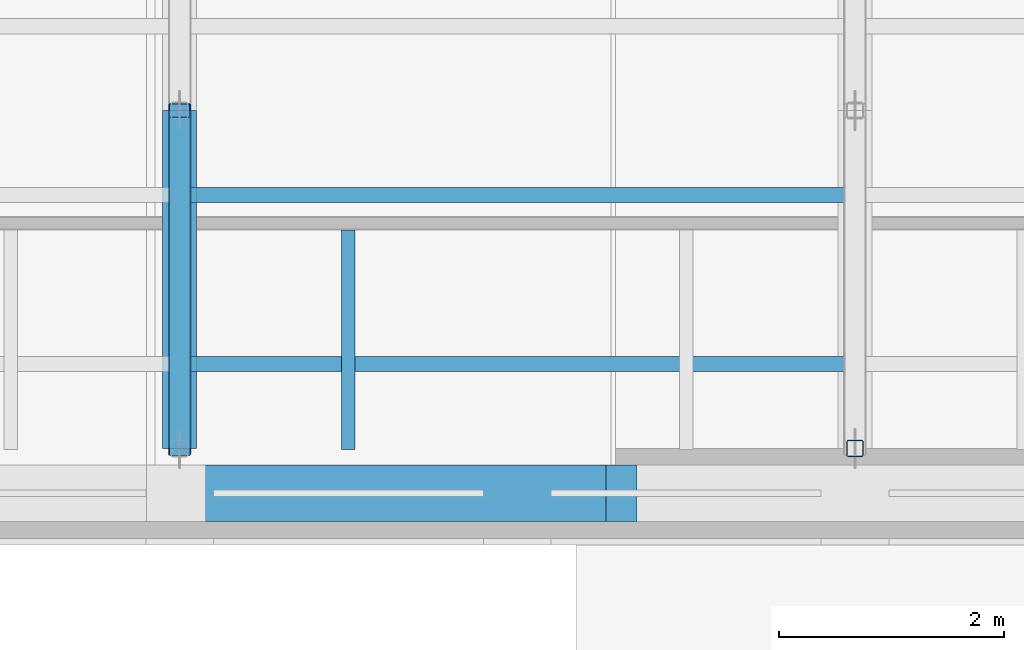
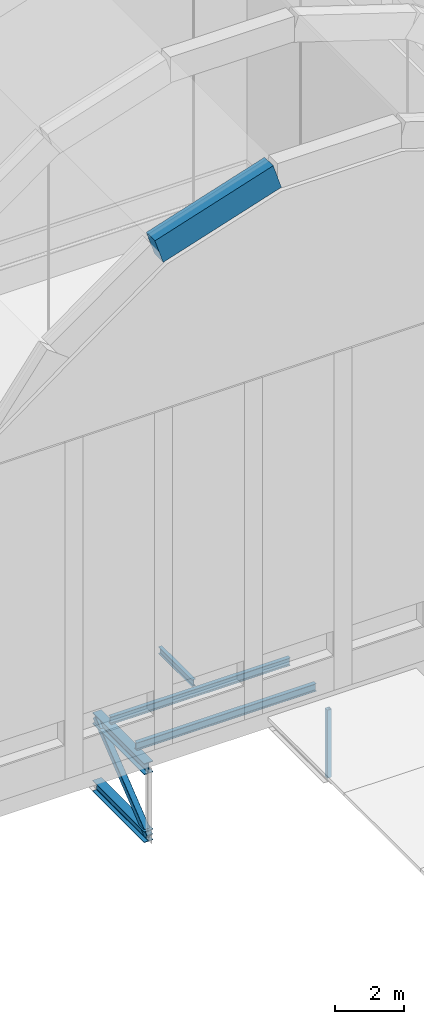
# One storey, part 2 of 55: 5 members, 3 beams.
"""IFC4 building model written with IfcOpenShell, lengths in metres."""

from ifc_helpers import new_model, si_unit, direction, frame, origin, origin_2d, place, context, subcontext, project, spatial, rectangle, hollow_rectangle, i_section, extrude, material, material_profile, profile_set, type_object, element, save


model = new_model("IFC4")

# Units and contexts
model_context = context("Model", 3, precision=1e-05, world=origin(), true_north=direction((0.0, 1.0)))
body_context = subcontext(model_context, "Body", "Model", "MODEL_VIEW")
ifc_project = project(units=[si_unit("LENGTHUNIT", "METRE"), si_unit("AREAUNIT", "SQUARE_METRE"), si_unit("VOLUMEUNIT", "CUBIC_METRE"), si_unit("PLANEANGLEUNIT", "RADIAN"), si_unit("MASSUNIT", "GRAM", prefix="KILO")], contexts=[model_context])

# Site, building, storey
site_placement = place(None, origin())
site = spatial("IfcSite", under=ifc_project, at=site_placement, CompositionType="ELEMENT")
building_placement = place(site_placement, origin())
building = spatial("IfcBuilding", under=site, at=building_placement, Name="Lunette Opera House", CompositionType="ELEMENT")
storey_placement = place(building_placement, frame((0.0, 0.0, 34.0)))
storey = spatial("IfcBuildingStorey", under=building, at=storey_placement, Name="L06", CompositionType="ELEMENT", Elevation=34.0)

# Beam
ifc_material_1 = material(Name="Concrete C40/50", Category="concrete")
ifc_material_profile_1 = material_profile(ifc_material_1, rectangle(XDim=0.5, YDim=0.89990234375, at=origin_2d()), Name="ARCH BEAM 500X900")
ifc_profile_set_1 = profile_set([ifc_material_profile_1], Name="Concrete C40/50")
beam_type_1 = type_object("IfcBeamType", Name="ARCH BEAM 500X900", PredefinedType="BEAM", material=ifc_profile_set_1)
beam_placement = place(storey_placement, frame((89.968994140625, 95.60009765625, 17.98193359375), z_axis=(0.952116578893, 0.0, 0.305735212556), x_axis=(0.0, 1.0, 0.0)))
element("IfcBeam", 1, at=beam_placement, inside=storey, type_object=beam_type_1, Name="beam-ST-L06-EAT1-3", PredefinedType="BEAM", context=body_context, shape_type="SweptSolid", body=[
    extrude(rectangle(XDim=0.5, YDim=0.89990234375, at=origin_2d()), origin(), (0.0, 0.0, 1.0), 4.154052734375),
])

# Members
ifc_material_2 = material(Name="Steel S355", Category="steel")
ifc_material_profile_2 = material_profile(ifc_material_2, i_section(OverallWidth=0.1201171875, OverallDepth=0.239990234375, WebThickness=0.006103515625, FlangeThickness=0.009765625, FilletRadius=0.014892578125, at=origin_2d()), Name="IPE 240")
ifc_profile_set_2 = profile_set([ifc_material_profile_2], Name="Steel S355")
member_type_1 = type_object("IfcMemberType", Name="BRACKET IPE 240", PredefinedType="MEMBER", material=ifc_profile_set_2)
member_1_placement = place(storey_placement, frame((91.5, 95.989990234375, 1.820068359375), z_axis=(0.0, 1.0, 0.0), x_axis=(-1.0, 0.0, 0.0)))
element("IfcMember", 2, at=member_1_placement, inside=storey, type_object=member_type_1, Name="mem-ST-L06-LOFT-BKS915-959", PredefinedType="MEMBER", context=body_context, shape_type="SweptSolid", body=[
    extrude(i_section(OverallWidth=0.1201171875, OverallDepth=0.239990234375, WebThickness=0.006103515625, FlangeThickness=0.009765625, FilletRadius=0.014892578125, at=origin_2d()), origin(), (0.0, 0.0, 1.0), 1.949951171875),
])
ifc_material_3 = material(Name="Steel S355", Category="steel")
ifc_material_profile_3 = material_profile(ifc_material_3, i_section(OverallWidth=0.300048828125, OverallDepth=0.389892578125, WebThickness=0.010986328125, FlangeThickness=0.01904296875, FilletRadius=0.027099609375, at=origin_2d()), Name="HEA 400")
ifc_profile_set_3 = profile_set([ifc_material_profile_3], Name="Steel S355")
member_type_2 = type_object("IfcMemberType", Name="CHORD HEA 400", PredefinedType="CHORD", material=ifc_profile_set_3)
for number, where, z_axis, x_axis, name in (
    (3, (90.0, 96.0, -0.6650390625), (0.0, 1.0, 0.0), (-1.0, 0.0, 0.0), "mem-ST-L06-ST-TR01-TC1"),
    (4, (90.0, 96.0, -3.06494140625), (0.0, 1.0, 0.0), (-1.0, 0.0, 0.0), "mem-ST-L06-ST-TR01-BC1"),
):
    element("IfcMember", number, at=place(storey_placement, frame(where, z_axis=z_axis, x_axis=x_axis)), inside=storey, type_object=member_type_2, Name=name, PredefinedType="CHORD", context=body_context, shape_type="SweptSolid", body=[
        extrude(i_section(OverallWidth=0.300048828125, OverallDepth=0.389892578125, WebThickness=0.010986328125, FlangeThickness=0.01904296875, FilletRadius=0.027099609375, at=origin_2d()), origin(), (0.0, 0.0, 1.0), 3.0),
    ])
ifc_material_4 = material(Name="Steel S355", Category="steel")
ifc_material_profile_4 = material_profile(ifc_material_4, hollow_rectangle(XDim=0.199951171875, YDim=0.199951171875, WallThickness=0.008056640625, InnerFilletRadius=0.008056640625, OuterFilletRadius=0.01611328125, at=origin_2d()), Name="RHS 200X200X8")
ifc_profile_set_4 = profile_set([ifc_material_profile_4], Name="Steel S355")
member_type_3 = type_object("IfcMemberType", Name="DIAGONAL RHS 200X200X8", PredefinedType="BRACE", material=ifc_profile_set_4)
member_2_placement = place(storey_placement, frame((90.0, 96.0, -3.06494140625), z_axis=(0.0, 0.780881208953, 0.624679547852), x_axis=(-1.0, 0.0, 0.0)))
element("IfcMember", 5, at=member_2_placement, inside=storey, type_object=member_type_3, Name="mem-ST-L06-ST-TR01-TD1", PredefinedType="BRACE", context=body_context, shape_type="SweptSolid", body=[
    extrude(hollow_rectangle(XDim=0.199951171875, YDim=0.199951171875, WallThickness=0.008056640625, InnerFilletRadius=0.008056640625, OuterFilletRadius=0.01611328125, at=origin_2d()), origin(), (0.0, 0.0, 1.0), 3.841796875),
])

# Beams
ifc_material_5 = material(Name="Steel S355", Category="steel")
ifc_material_profile_5 = material_profile(ifc_material_5, i_section(OverallWidth=0.135009765625, OverallDepth=0.27001953125, WebThickness=0.006591796875, FlangeThickness=0.01025390625, FilletRadius=0.014892578125, at=origin_2d()), Name="IPE 270")
ifc_profile_set_5 = profile_set([ifc_material_profile_5], Name="Steel S355")
beam_type_2 = type_object("IfcBeamType", Name="STEEL BEAM IPE 270", PredefinedType="BEAM", material=ifc_profile_set_5)
for number, where, z_axis, x_axis, name in (
    (6, (90.0, 96.75, -0.3349609375), (1.0, 0.0, 0.0), (0.0, 1.0, 0.0), "beam-ST-L06-GRID-9675-2"),
    (7, (90.0, 98.25, -0.3349609375), (1.0, 0.0, 0.0), (0.0, 1.0, 0.0), "beam-ST-L06-GRID-9825-2"),
):
    element("IfcBeam", number, at=place(storey_placement, frame(where, z_axis=z_axis, x_axis=x_axis)), inside=storey, type_object=beam_type_2, Name=name, PredefinedType="BEAM", context=body_context, shape_type="SweptSolid", body=[
        extrude(i_section(OverallWidth=0.135009765625, OverallDepth=0.27001953125, WebThickness=0.006591796875, FlangeThickness=0.01025390625, FilletRadius=0.014892578125, at=origin_2d()), origin(), (0.0, 0.0, 1.0), 6.0),
    ])

# Member
ifc_material_6 = material(Name="Steel S355", Category="steel")
ifc_material_profile_6 = material_profile(ifc_material_6, hollow_rectangle(XDim=0.14990234375, YDim=0.14990234375, WallThickness=0.008056640625, InnerFilletRadius=0.008056640625, OuterFilletRadius=0.01611328125, at=origin_2d()), Name="RHS 150X150X8")
ifc_profile_set_6 = profile_set([ifc_material_profile_6], Name="Steel S355")
member_type_4 = type_object("IfcMemberType", Name="VERTICAL RHS 150X150X8", PredefinedType="POST", material=ifc_profile_set_6)
member_3_placement = place(storey_placement, frame((96.0, 96.0, -3.06494140625), z_axis=(0.0, 0.0, 1.0), x_axis=(1.0, 0.0, 0.0)))
element("IfcMember", 8, at=member_3_placement, inside=storey, type_object=member_type_4, Name="mem-ST-L06-ST-TR02-TV1", PredefinedType="POST", context=body_context, shape_type="SweptSolid", body=[
    extrude(hollow_rectangle(XDim=0.14990234375, YDim=0.14990234375, WallThickness=0.008056640625, InnerFilletRadius=0.008056640625, OuterFilletRadius=0.01611328125, at=origin_2d()), origin(), (0.0, 0.0, 1.0), 2.39990234375),
])

save(model, "model.ifc")
